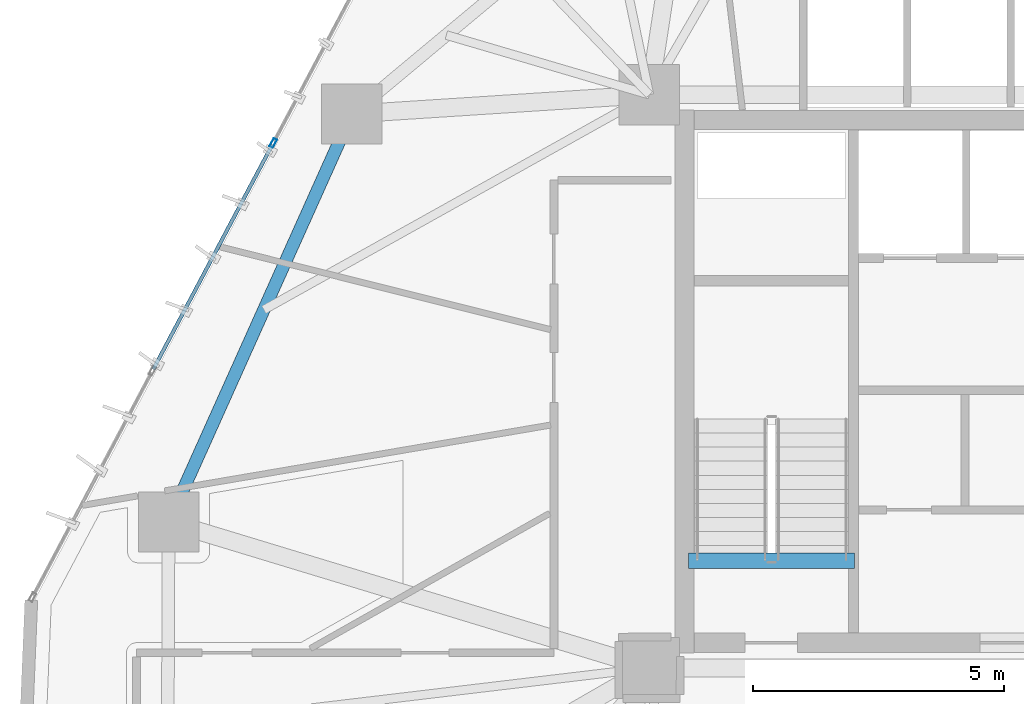
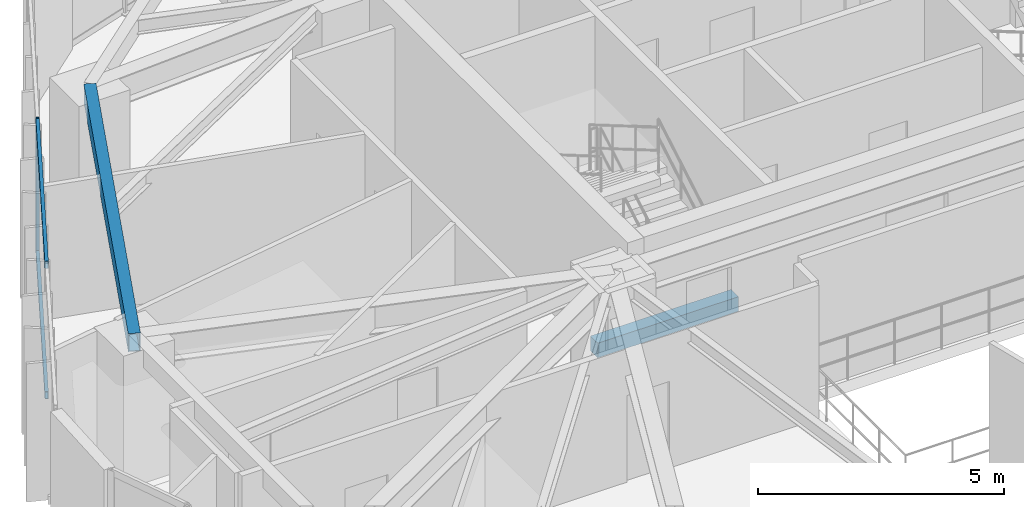
# One storey, part 8 of 21: 3 members, 2 beams, 1 element without a shape of its own.
"""IFC4 building model written with IfcOpenShell, lengths in metres."""

from ifc_helpers import new_model, si_unit, direction, frame, origin, origin_2d, place, context, subcontext, project, spatial, rectangle, hollow_rectangle, extrude, source, transform, mapped, material, layer, layer_set, material_profile, profile_set, type_object, type_shapes, element, aggregate, save


model = new_model("IFC4")

# Units and contexts
model_context = context("Model", 3, precision=1e-05, world=origin(), true_north=direction((0.0, 1.0)))
body_context = subcontext(model_context, "Body", "Model", "MODEL_VIEW")
ifc_project = project(units=[si_unit("LENGTHUNIT", "METRE"), si_unit("AREAUNIT", "SQUARE_METRE"), si_unit("VOLUMEUNIT", "CUBIC_METRE"), si_unit("PLANEANGLEUNIT", "RADIAN"), si_unit("MASSUNIT", "GRAM", prefix="KILO")], contexts=[model_context])

# Site, building, storey
site_placement = place(None, origin())
site = spatial("IfcSite", under=ifc_project, at=site_placement, CompositionType="ELEMENT")
building_placement = place(site_placement, origin())
building = spatial("IfcBuilding", under=site, at=building_placement, Name="Talar Marvaseh", CompositionType="ELEMENT")
storey_placement = place(building_placement, frame((0.0, 0.0, 143.39990234375)))
storey = spatial("IfcBuildingStorey", under=building, at=storey_placement, Name="L37", CompositionType="ELEMENT", Elevation=143.39990234375)

# Beams
ifc_material_1 = material(Name="Concrete C40/50", Category="concrete")
ifc_material_profile_1 = material_profile(ifc_material_1, rectangle(XDim=0.300048828125, YDim=0.360107421875, at=origin_2d()), Name="RC300x360")
ifc_profile_set_1 = profile_set([ifc_material_profile_1], Name="Concrete C40/50")
beam_type_1 = type_object("IfcBeamType", Name="Concrete Stair Landing Trimmer Beam RC300x360", PredefinedType="SPANDREL", material=ifc_profile_set_1)
beam_1_placement = place(storey_placement, frame((22.780029296875, 27.6298828125, -0.179931640625), z_axis=(-1.0, 0.0, 0.0), x_axis=(0.0, -1.0, 0.0)))
element("IfcBeam", 1, at=beam_1_placement, inside=storey, type_object=beam_type_1, Name="L37 ST-1 Stair Nosing Trimmer Beam", PredefinedType="SPANDREL", context=body_context, shape_type="SweptSolid", body=[
    extrude(rectangle(XDim=0.300048828125, YDim=0.360107421875, at=origin_2d()), origin(), (0.0, 0.0, 1.0), 3.300048828125),
])
ifc_material_2 = material(Name="Steel S355", Category="steel")
ifc_material_profile_2 = material_profile(ifc_material_2, hollow_rectangle(XDim=0.25, YDim=0.449951171875, WallThickness=0.01611328125, at=origin_2d()), Name="RHS450x250x16")
ifc_profile_set_2 = profile_set([ifc_material_profile_2], Name="Steel S355")
beam_type_2 = type_object("IfcBeamType", Name="Zone 2 Perimeter Spandrel Beam RHS450x250x16", PredefinedType="SPANDREL", material=ifc_profile_set_2)
beam_2_placement = place(storey_placement, frame((9.137939453125, 28.402099609375, 3.085205078125), z_axis=(0.409461733275, 0.912327292688, 0.0), x_axis=(-0.912327292688, 0.409461733275, 0.0)))
element("IfcBeam", 2, at=beam_2_placement, inside=storey, type_object=beam_type_2, Name="L37 Zone 2 Perimeter Spandrel Beam RHS450x250x16", PredefinedType="SPANDREL", context=body_context, shape_type="SweptSolid", body=[
    extrude(hollow_rectangle(XDim=0.25, YDim=0.449951171875, WallThickness=0.01611328125, at=origin_2d()), origin(), (0.0, 0.0, 1.0), 8.894775390625),
])

# Curtain wall, members
ifc_material_3 = material(Name="Architectural Aluminium", Category="aluminium")
ifc_layer = layer(ifc_material_3, 0.199951171875)
ifc_layer_set = layer_set([ifc_layer], Name="Architectural Aluminium")
curtain_wall_type = type_object("IfcCurtainWallType", Name="Unitised Acoustic Library Curtain Wall Z2", PredefinedType="NOTDEFINED", material=ifc_layer_set)
curtain_wall_placement = place(storey_placement, origin())
curtain_wall = element("IfcCurtainWall", 3, at=curtain_wall_placement, inside=storey, type_object=curtain_wall_type, Name="L37 Unitised Acoustic Library Curtain Wall Z2", PredefinedType="NOTDEFINED")
ifc_material_profile_3 = material_profile(ifc_material_3, hollow_rectangle(XDim=0.074951171875, YDim=0.179931640625, WallThickness=0.0048828125, at=origin_2d()), Name="RHS180x75x5")
ifc_profile_set_3 = profile_set([ifc_material_profile_3], Name="Architectural Aluminium")
member_type_1 = type_object("IfcMemberType", Name="Unitised Curtain Wall Standard Mullion RHS180x75x5", PredefinedType="MULLION", material=ifc_profile_set_3)
shared_shape_1 = source(origin(), body_context, "Body", "SweptSolid", [
    extrude(hollow_rectangle(XDim=0.074951171875, YDim=0.179931640625, WallThickness=0.0048828125, at=origin_2d()), origin(), (0.0, 0.0, 1.0), 3.31005859375),
])
type_shapes(member_type_1, [shared_shape_1])
member_1_placement = place(storey_placement, frame((11.218505859375, 35.938232421875, 0.0), z_axis=(0.0, 0.0, 1.0), x_axis=(-0.883504843636, 0.468422022616, 0.0)))
member_1 = element("IfcMember", 4, at=member_1_placement, type_object=member_type_1, Name="CW-Z2 mullion 3", PredefinedType="MULLION", context=body_context, shape_type="MappedRepresentation", body=[
    mapped(shared_shape_1, transform((0.0, 0.0, 0.0), x_axis=(1.0, 0.0, 0.0), y_axis=(0.0, 1.0, 0.0), z_axis=(0.0, 0.0, 1.0), scale=1.0)),
])
ifc_material_profile_4 = material_profile(ifc_material_3, hollow_rectangle(XDim=0.074951171875, YDim=0.179931640625, WallThickness=0.0048828125, at=origin_2d()), Name="RHS180x75x5")
ifc_profile_set_4 = profile_set([ifc_material_profile_4], Name="Architectural Aluminium")
member_type_2 = type_object("IfcMemberType", Name="Unitised Curtain Wall Transom RHS180x75x5", PredefinedType="USERDEFINED", material=ifc_profile_set_4)
shared_shape_2 = source(origin(), body_context, "Body", "SweptSolid", [
    extrude(hollow_rectangle(XDim=0.074951171875, YDim=0.179931640625, WallThickness=0.0048828125, at=origin_2d()), origin(), (0.0, 0.0, 1.0), 5.054931640625),
])
type_shapes(member_type_2, [shared_shape_2])
member_2_placement = place(storey_placement, frame((8.8330078125, 31.43896484375, 0.03759765625), z_axis=(0.468433518866, 0.883498748388, 0.0), x_axis=(-0.883498748388, 0.468433518866, 0.0)))
member_2 = element("IfcMember", 5, at=member_2_placement, type_object=member_type_2, Name="CW-Z2 transom 2.1", ObjectType="TRANSOM", PredefinedType="USERDEFINED", context=body_context, shape_type="MappedRepresentation", body=[
    mapped(shared_shape_2, transform((0.0, 0.0, 0.0), x_axis=(1.0, 0.0, 0.0), y_axis=(0.0, 1.0, 0.0), z_axis=(0.0, 0.0, 1.0), scale=1.0)),
])
member_3_placement = place(storey_placement, frame((8.8330078125, 31.43896484375, 3.272705078125), z_axis=(0.468433518866, 0.883498748388, 0.0), x_axis=(-0.883498748388, 0.468433518866, 0.0)))
member_3 = element("IfcMember", 6, at=member_3_placement, type_object=member_type_2, Name="CW-Z2 transom 2.2", ObjectType="TRANSOM", PredefinedType="USERDEFINED", context=body_context, shape_type="MappedRepresentation", body=[
    mapped(shared_shape_2, transform((0.0, 0.0, 0.0), x_axis=(1.0, 0.0, 0.0), y_axis=(0.0, 1.0, 0.0), z_axis=(0.0, 0.0, 1.0), scale=1.0)),
])
aggregate(curtain_wall, [member_1, member_2, member_3])

save(model, "model.ifc")
